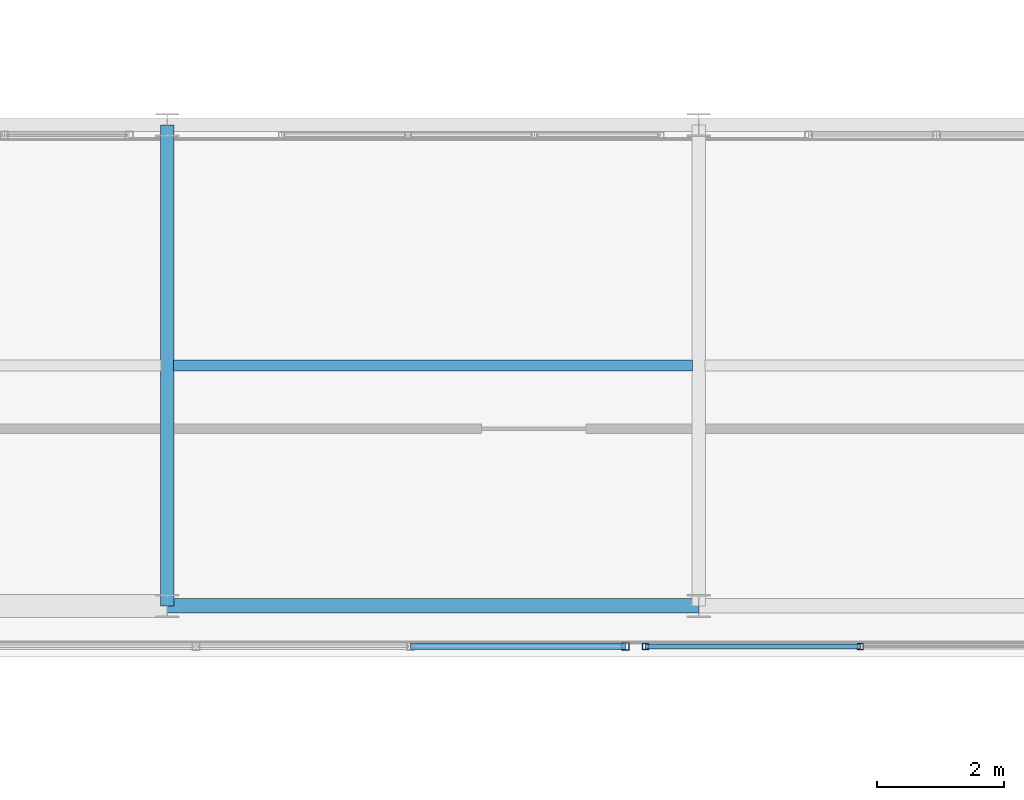
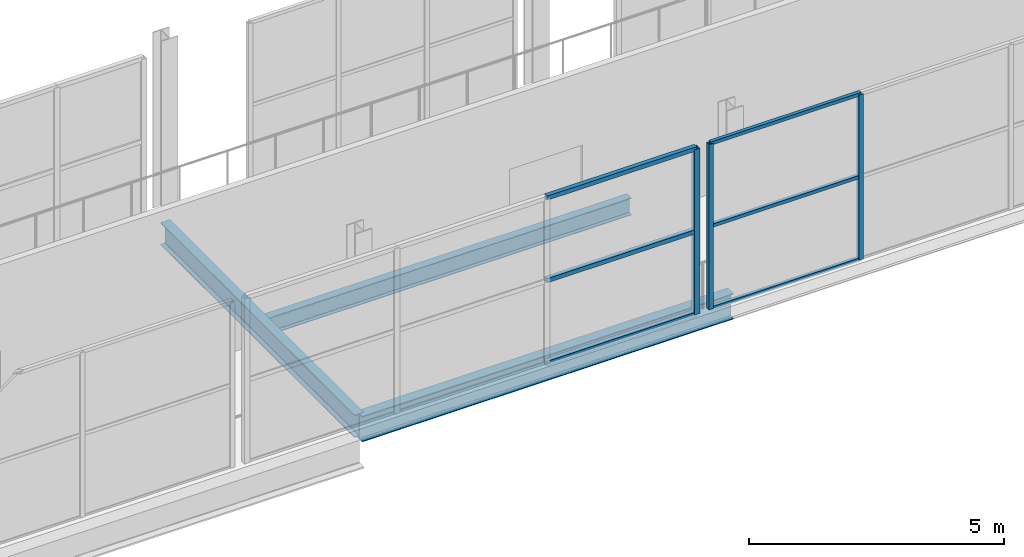
# One storey, part 59 of 217: 9 members, 3 beams, 2 elements without a shape of their own.
"""IFC4 building model written with IfcOpenShell, lengths in metres."""

from ifc_helpers import new_model, si_unit, direction, frame, origin, origin_2d, place, context, subcontext, project, spatial, hollow_rectangle, i_section, extrude, material, material_profile, profile_set, type_object, element, aggregate, save


model = new_model("IFC4")

# Units and contexts
model_context = context("Model", 3, precision=1e-05, world=origin(), true_north=direction((0.0, 1.0)))
body_context = subcontext(model_context, "Body", "Model", "MODEL_VIEW")
ifc_project = project(units=[si_unit("LENGTHUNIT", "METRE"), si_unit("AREAUNIT", "SQUARE_METRE"), si_unit("VOLUMEUNIT", "CUBIC_METRE"), si_unit("PLANEANGLEUNIT", "RADIAN"), si_unit("MASSUNIT", "GRAM", prefix="KILO")], contexts=[model_context])

# Site, building, storey
site_placement = place(None, origin())
site = spatial("IfcSite", under=ifc_project, at=site_placement, CompositionType="ELEMENT")
building_placement = place(site_placement, origin())
building = spatial("IfcBuilding", under=site, at=building_placement, Name="Zuvorla Pavilion Media Centre", CompositionType="ELEMENT")
storey_placement = place(building_placement, frame((0.0, 0.0, 9.60009765625)))
storey = spatial("IfcBuildingStorey", under=building, at=storey_placement, Name="L02", CompositionType="ELEMENT", Elevation=9.60009765625)

# Beams
ifc_material_1 = material(Name="Steel S355", Category="steel")
ifc_material_profile_1 = material_profile(ifc_material_1, i_section(OverallWidth=0.1787109375, OverallDepth=0.409423828125, WebThickness=0.0087890625, FlangeThickness=0.014404296875, FilletRadius=0.01025390625, at=origin_2d()), Name="UB 406x178x67")
ifc_profile_set_1 = profile_set([ifc_material_profile_1], Name="Steel S355")
beam_type_1 = type_object("IfcBeamType", Name="BM-UB406", PredefinedType="JOIST", material=ifc_profile_set_1)
beam_1_placement = place(storey_placement, frame((41.699951171875, 85.800048828125, -0.472900390625), z_axis=(1.0, 0.0, 0.0), x_axis=(0.0, 1.0, 0.0)))
element("IfcBeam", 1, at=beam_1_placement, inside=storey, type_object=beam_type_1, Name="L02 joist J02 993", PredefinedType="JOIST", context=body_context, shape_type="SweptSolid", body=[
    extrude(i_section(OverallWidth=0.1787109375, OverallDepth=0.409423828125, WebThickness=0.0087890625, FlangeThickness=0.014404296875, FilletRadius=0.01025390625, at=origin_2d()), origin(), (0.0, 0.0, 1.0), 8.199951171875),
])
ifc_material_profile_2 = material_profile(ifc_material_1, i_section(OverallWidth=0.2099609375, OverallDepth=0.53662109375, WebThickness=0.0107421875, FlangeThickness=0.017333984375, FilletRadius=0.0126953125, at=origin_2d()), Name="UB 533x210x101")
ifc_profile_set_2 = profile_set([ifc_material_profile_2], Name="Steel S355")
beam_type_2 = type_object("IfcBeamType", Name="BM-UB533", PredefinedType="BEAM", material=ifc_profile_set_2)
beam_2_placement = place(storey_placement, frame((41.60009765625, 82.0, -0.536376953125), z_axis=(0.0, 1.0, 0.0), x_axis=(-1.0, 0.0, 0.0)))
element("IfcBeam", 2, at=beam_2_placement, inside=storey, type_object=beam_type_2, Name="L02 beam B08 909", PredefinedType="BEAM", context=body_context, shape_type="SweptSolid", body=[
    extrude(i_section(OverallWidth=0.2099609375, OverallDepth=0.53662109375, WebThickness=0.0107421875, FlangeThickness=0.017333984375, FilletRadius=0.0126953125, at=origin_2d()), origin(), (0.0, 0.0, 1.0), 7.60009765625),
])
ifc_material_profile_3 = material_profile(ifc_material_1, i_section(OverallWidth=0.22900390625, OverallDepth=0.6123046875, WebThickness=0.011962890625, FlangeThickness=0.01953125, FilletRadius=0.0126953125, at=origin_2d()), Name="UB 610x229x125")
ifc_profile_set_3 = profile_set([ifc_material_profile_3], Name="Steel S355")
beam_type_3 = type_object("IfcBeamType", Name="BM-UB610", PredefinedType="BEAM", material=ifc_profile_set_3)
beam_3_placement = place(storey_placement, frame((41.60009765625, 82.0, -0.57421875), z_axis=(1.0, 0.0, 0.0), x_axis=(0.0, 1.0, 0.0)))
element("IfcBeam", 3, at=beam_3_placement, inside=storey, type_object=beam_type_3, Name="L02 beam B07 862", PredefinedType="BEAM", context=body_context, shape_type="SweptSolid", body=[
    extrude(i_section(OverallWidth=0.22900390625, OverallDepth=0.6123046875, WebThickness=0.011962890625, FlangeThickness=0.01953125, FilletRadius=0.0126953125, at=origin_2d()), origin(), (0.0, 0.0, 1.0), 8.39990234375),
])

# Curtain wall, members
ifc_material_2 = material(Name="Unitised anodised aluminium and solar glass curtain wall", Category="aluminium")
curtain_wall_type_1 = type_object("IfcCurtainWallType", Name="CW-SYS-35", PredefinedType="USERDEFINED", material=ifc_material_2)
curtain_wall_1_placement = place(storey_placement, origin())
curtain_wall_1 = element("IfcCurtainWall", 4, at=curtain_wall_1_placement, inside=storey, type_object=curtain_wall_type_1, Name="L02 curtain wall CW35 56", ObjectType="CURTAIN WALL", PredefinedType="USERDEFINED")
ifc_material_3 = material(Name="Anodised aluminium 6063-T6", Category="aluminium")
ifc_material_profile_4 = material_profile(ifc_material_3, hollow_rectangle(XDim=0.10009765625, YDim=0.10009765625, WallThickness=0.00439453125, at=origin_2d()), Name="ALU MULL 100x100")
ifc_profile_set_4 = profile_set([ifc_material_profile_4], Name="Anodised aluminium 6063-T6")
member_type_1 = type_object("IfcMemberType", Name="CW-MULL-100", PredefinedType="MULLION", material=ifc_profile_set_4)
member_1_placement = place(storey_placement, frame((52.55322265625, 81.360107421875, 0.0), z_axis=(0.0, 0.0, 1.0), x_axis=(1.0, 0.0, 0.0)))
member_1 = element("IfcMember", 5, at=member_1_placement, type_object=member_type_1, Name="CW35 mullion 3", PredefinedType="MULLION", context=body_context, shape_type="SweptSolid", body=[
    extrude(hollow_rectangle(XDim=0.10009765625, YDim=0.10009765625, WallThickness=0.00439453125, at=origin_2d()), origin(), (0.0, 0.0, 1.0), 3.949951171875),
])
member_2_placement = place(storey_placement, frame((49.159912109375, 81.360107421875, 0.0), z_axis=(0.0, 0.0, 1.0), x_axis=(1.0, 0.0, 0.0)))
member_2 = element("IfcMember", 6, at=member_2_placement, type_object=member_type_1, Name="CW35 mullion 4", PredefinedType="MULLION", context=body_context, shape_type="SweptSolid", body=[
    extrude(hollow_rectangle(XDim=0.10009765625, YDim=0.10009765625, WallThickness=0.00439453125, at=origin_2d()), origin(), (0.0, 0.0, 1.0), 3.949951171875),
])

curtain_wall_type_2 = type_object("IfcCurtainWallType", Name="CW-SYS-33", PredefinedType="USERDEFINED", material=ifc_material_2)
curtain_wall_2_placement = place(storey_placement, origin())
curtain_wall_2 = element("IfcCurtainWall", 7, at=curtain_wall_2_placement, inside=storey, type_object=curtain_wall_type_2, Name="L02 curtain wall CW33 54", ObjectType="CURTAIN WALL", PredefinedType="USERDEFINED")
ifc_material_profile_5 = material_profile(ifc_material_3, hollow_rectangle(XDim=0.1201171875, YDim=0.1201171875, WallThickness=0.0048828125, at=origin_2d()), Name="ALU MULL 120x120")
ifc_profile_set_5 = profile_set([ifc_material_profile_5], Name="Anodised aluminium 6063-T6")
member_type_2 = type_object("IfcMemberType", Name="CW-MULL-120", PredefinedType="MULLION", material=ifc_profile_set_5)
member_3_placement = place(storey_placement, frame((48.840087890625, 81.360107421875, 0.0), z_axis=(0.0, 0.0, 1.0), x_axis=(1.0, 0.0, 0.0)))
member_3 = element("IfcMember", 8, at=member_3_placement, type_object=member_type_2, Name="CW33 mullion 1", PredefinedType="MULLION", context=body_context, shape_type="SweptSolid", body=[
    extrude(hollow_rectangle(XDim=0.1201171875, YDim=0.1201171875, WallThickness=0.0048828125, at=origin_2d()), origin(), (0.0, 0.0, 1.0), 3.949951171875),
])
ifc_material_profile_6 = material_profile(ifc_material_3, hollow_rectangle(XDim=0.10009765625, YDim=0.10009765625, WallThickness=0.00439453125, at=origin_2d()), Name="ALU TRAN 100x100")
ifc_profile_set_6 = profile_set([ifc_material_profile_6], Name="Anodised aluminium 6063-T6")
member_type_3 = type_object("IfcMemberType", Name="CW-TRAN-100", PredefinedType="USERDEFINED", material=ifc_profile_set_6)
member_4_placement = place(storey_placement, frame((48.840087890625, 81.360107421875, 0.0), z_axis=(-1.0, 0.0, 0.0), x_axis=(0.0, -1.0, 0.0)))
member_4 = element("IfcMember", 9, at=member_4_placement, type_object=member_type_3, Name="CW33 transom 1.1", ObjectType="TRANSOM", PredefinedType="USERDEFINED", context=body_context, shape_type="SweptSolid", body=[
    extrude(hollow_rectangle(XDim=0.10009765625, YDim=0.10009765625, WallThickness=0.00439453125, at=origin_2d()), origin(), (0.0, 0.0, 1.0), 3.393310546875),
])
member_5_placement = place(storey_placement, frame((48.840087890625, 81.360107421875, 1.974853515625), z_axis=(-1.0, 0.0, 0.0), x_axis=(0.0, -1.0, 0.0)))
member_5 = element("IfcMember", 10, at=member_5_placement, type_object=member_type_3, Name="CW33 transom 1.2", ObjectType="TRANSOM", PredefinedType="USERDEFINED", context=body_context, shape_type="SweptSolid", body=[
    extrude(hollow_rectangle(XDim=0.10009765625, YDim=0.10009765625, WallThickness=0.00439453125, at=origin_2d()), origin(), (0.0, 0.0, 1.0), 3.393310546875),
])
member_6_placement = place(storey_placement, frame((48.840087890625, 81.360107421875, 3.949951171875), z_axis=(-1.0, 0.0, 0.0), x_axis=(0.0, -1.0, 0.0)))
member_6 = element("IfcMember", 11, at=member_6_placement, type_object=member_type_3, Name="CW33 transom 1.3", ObjectType="TRANSOM", PredefinedType="USERDEFINED", context=body_context, shape_type="SweptSolid", body=[
    extrude(hollow_rectangle(XDim=0.10009765625, YDim=0.10009765625, WallThickness=0.00439453125, at=origin_2d()), origin(), (0.0, 0.0, 1.0), 3.393310546875),
])
aggregate(curtain_wall_2, [member_3, member_4, member_5, member_6])

# Member
ifc_material_profile_7 = material_profile(ifc_material_3, hollow_rectangle(XDim=0.080078125, YDim=0.080078125, WallThickness=0.00390625, at=origin_2d()), Name="ALU TRAN 80x80")
ifc_profile_set_7 = profile_set([ifc_material_profile_7], Name="Anodised aluminium 6063-T6")
member_type_4 = type_object("IfcMemberType", Name="CW-TRAN-80", PredefinedType="USERDEFINED", material=ifc_profile_set_7)
member_7_placement = place(storey_placement, frame((52.55322265625, 81.360107421875, 0.0), z_axis=(-1.0, 0.0, 0.0), x_axis=(0.0, -1.0, 0.0)))
member_7 = element("IfcMember", 12, at=member_7_placement, type_object=member_type_4, Name="CW35 transom 3.1", ObjectType="TRANSOM", PredefinedType="USERDEFINED", context=body_context, shape_type="SweptSolid", body=[
    extrude(hollow_rectangle(XDim=0.080078125, YDim=0.080078125, WallThickness=0.00390625, at=origin_2d()), origin(), (0.0, 0.0, 1.0), 3.393310546875),
])

member_8_placement = place(storey_placement, frame((52.55322265625, 81.360107421875, 1.974853515625), z_axis=(-1.0, 0.0, 0.0), x_axis=(0.0, -1.0, 0.0)))
member_8 = element("IfcMember", 13, at=member_8_placement, type_object=member_type_4, Name="CW35 transom 3.2", ObjectType="TRANSOM", PredefinedType="USERDEFINED", context=body_context, shape_type="SweptSolid", body=[
    extrude(hollow_rectangle(XDim=0.080078125, YDim=0.080078125, WallThickness=0.00390625, at=origin_2d()), origin(), (0.0, 0.0, 1.0), 3.393310546875),
])

member_9_placement = place(storey_placement, frame((52.55322265625, 81.360107421875, 3.949951171875), z_axis=(-1.0, 0.0, 0.0), x_axis=(0.0, -1.0, 0.0)))
member_9 = element("IfcMember", 14, at=member_9_placement, type_object=member_type_4, Name="CW35 transom 3.3", ObjectType="TRANSOM", PredefinedType="USERDEFINED", context=body_context, shape_type="SweptSolid", body=[
    extrude(hollow_rectangle(XDim=0.080078125, YDim=0.080078125, WallThickness=0.00390625, at=origin_2d()), origin(), (0.0, 0.0, 1.0), 3.393310546875),
])

aggregate(curtain_wall_1, [member_1, member_2, member_7, member_8, member_9])

save(model, "model.ifc")
